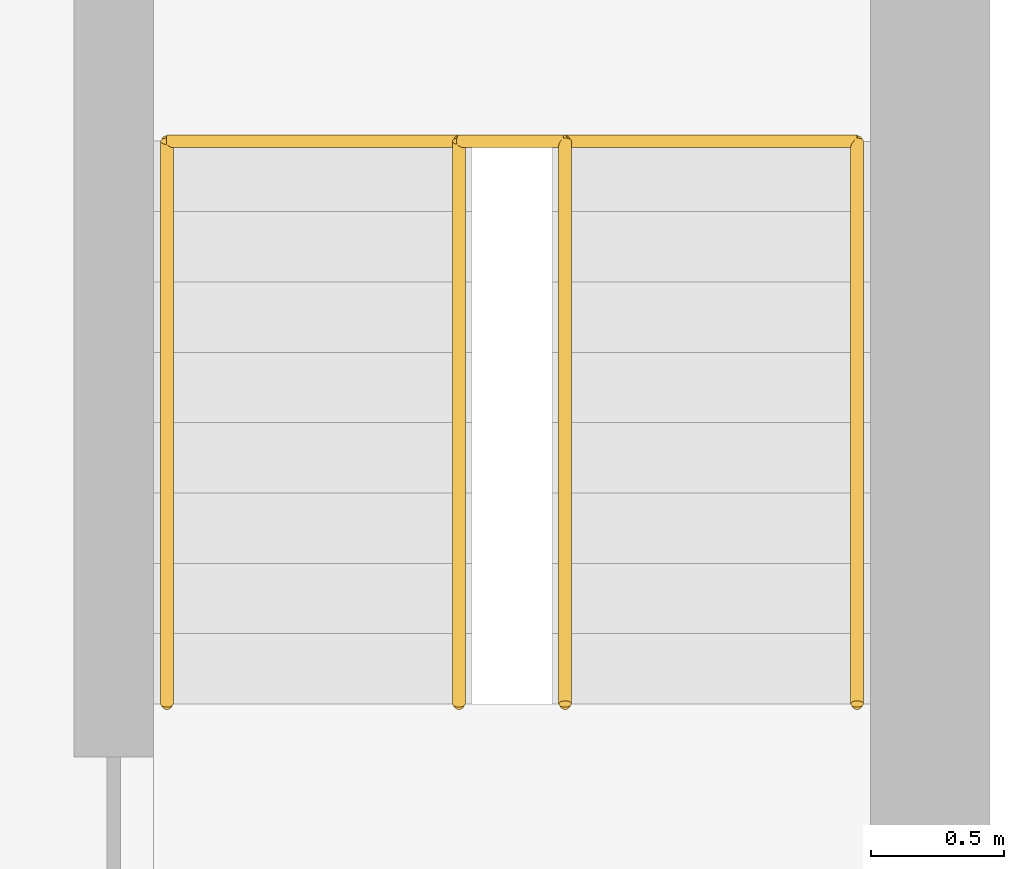
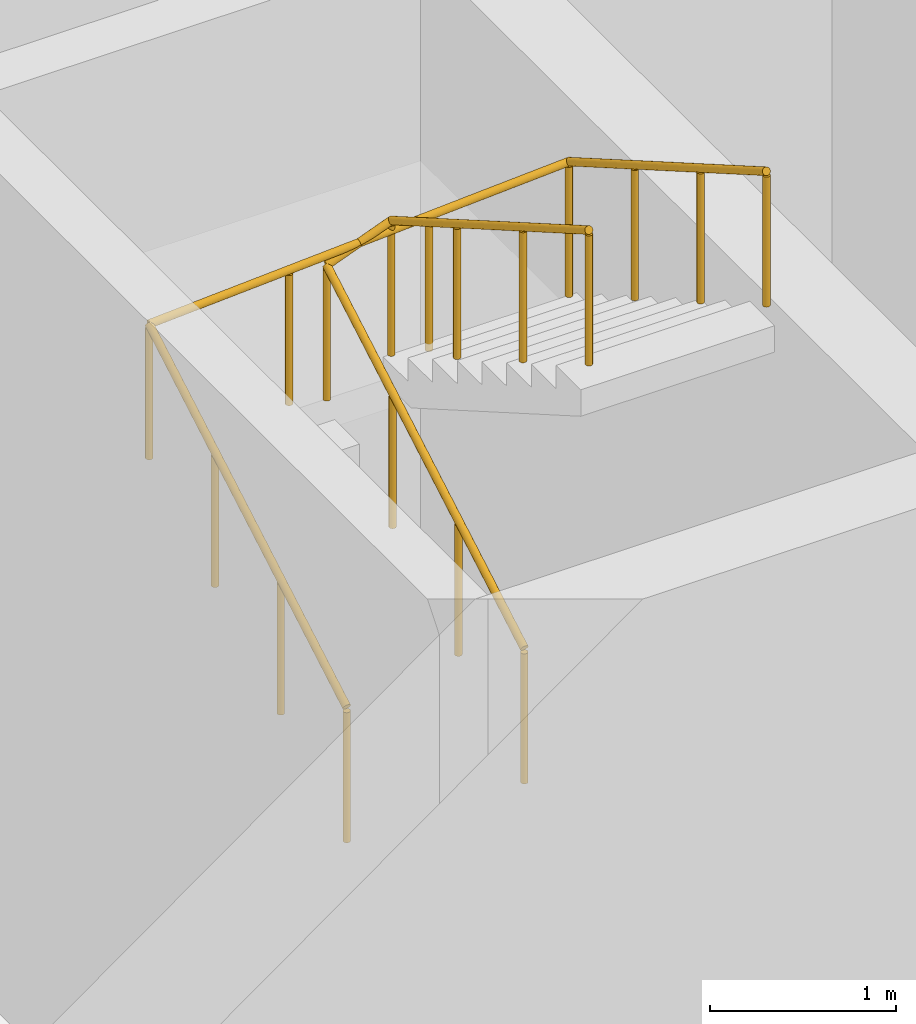
# One storey, part 30 of 30: 2 railings.
"""IFC4 building model written with IfcOpenShell, lengths in metres."""

from ifc_helpers import new_model, si_unit, direction, frame, origin, origin_2d, place, context, subcontext, project, spatial, circle, extrude, material, type_object, element, save


model = new_model("IFC4")

# Units and contexts
model_context = context("Model", 3, precision=1e-05, world=origin(), true_north=direction((0.0, 1.0)))
body_context = subcontext(model_context, "Body", "Model", "MODEL_VIEW")
ifc_project = project(units=[si_unit("LENGTHUNIT", "METRE"), si_unit("AREAUNIT", "SQUARE_METRE"), si_unit("VOLUMEUNIT", "CUBIC_METRE"), si_unit("PLANEANGLEUNIT", "RADIAN"), si_unit("MASSUNIT", "GRAM", prefix="KILO")], contexts=[model_context])

# Site, building, storey
site_placement = place(None, origin())
site = spatial("IfcSite", under=ifc_project, at=site_placement, CompositionType="ELEMENT")
building_placement = place(site_placement, origin())
building = spatial("IfcBuilding", under=site, at=building_placement, Name="Torana Hotel and Residences", CompositionType="ELEMENT")
storey_placement = place(building_placement, frame((0.0, 0.0, 12.5)))
storey = spatial("IfcBuildingStorey", under=building, at=storey_placement, Name="L02", CompositionType="ELEMENT", Elevation=12.5)

# Railings
ifc_material = material(Name="Stainless steel 316", Category="steel")
railing_type = type_object("IfcRailingType", Name="STAIR HANDRAIL HR1 900", PredefinedType="HANDRAIL", material=ifc_material)
railing_1_placement = place(storey_placement, frame((16.39990234375, -12.949951171875, 2.90283203125)))
element("IfcRailing", 1, at=railing_1_placement, inside=storey, type_object=railing_type, Name="Handrail ST4 L02 O2", PredefinedType="HANDRAIL", context=body_context, shape_type="SweptSolid", body=[
    extrude(circle(Radius=0.02392578125, at=origin_2d()), frame((0.0, 0.0, 0.8759765625), z_axis=(0.0, 0.866333381259, 0.49946618756), x_axis=(-1.0, 0.0, 0.0)), (0.0, 0.0, 1.0), 2.447021484375),
    extrude(circle(Radius=0.02392578125, at=origin_2d()), frame((0.0, 2.119873046875, 2.09814453125), z_axis=(0.998276957998, 0.0, 0.058678063447), x_axis=(0.0, 1.0, 0.0)), (0.0, 0.0, 1.0), 2.6044921875),
    extrude(circle(Radius=0.02392578125, at=origin_2d()), frame((2.60009765625, 2.119873046875, 2.2509765625), z_axis=(0.0, -0.866333381259, 0.49946618756), x_axis=(1.0, 0.0, 0.0)), (0.0, 0.0, 1.0), 2.447021484375),
    extrude(circle(Radius=0.02099609375, at=origin_2d()), origin(), (0.0, 0.0, 1.0), 0.851806640625),
    extrude(circle(Radius=0.02099609375, at=origin_2d()), frame((0.0, 0.70654296875, 0.407470703125)), (0.0, 0.0, 1.0), 0.851806640625),
    extrude(circle(Radius=0.02099609375, at=origin_2d()), frame((0.0, 1.413330078125, 0.814697265625)), (0.0, 0.0, 1.0), 0.851806640625),
    extrude(circle(Radius=0.02099609375, at=origin_2d()), frame((0.0, 2.119873046875, 1.22216796875)), (0.0, 0.0, 1.0), 0.851806640625),
    extrude(circle(Radius=0.02099609375, at=origin_2d()), frame((0.86669921875, 2.119873046875, 1.273193359375)), (0.0, 0.0, 1.0), 0.851806640625),
    extrude(circle(Radius=0.02099609375, at=origin_2d()), frame((1.7333984375, 2.119873046875, 1.323974609375)), (0.0, 0.0, 1.0), 0.851806640625),
    extrude(circle(Radius=0.02099609375, at=origin_2d()), frame((2.60009765625, 2.119873046875, 1.375)), (0.0, 0.0, 1.0), 0.851806640625),
    extrude(circle(Radius=0.02099609375, at=origin_2d()), frame((2.60009765625, 1.413330078125, 1.782470703125)), (0.0, 0.0, 1.0), 0.851806640625),
    extrude(circle(Radius=0.02099609375, at=origin_2d()), frame((2.60009765625, 0.70654296875, 2.189697265625)), (0.0, 0.0, 1.0), 0.851806640625),
    extrude(circle(Radius=0.02099609375, at=origin_2d()), frame((2.60009765625, 0.0, 2.59716796875)), (0.0, 0.0, 1.0), 0.851806640625),
])
railing_2_placement = place(storey_placement, frame((17.5, -12.949951171875, 2.90283203125)))
element("IfcRailing", 2, at=railing_2_placement, inside=storey, type_object=railing_type, Name="Handrail ST4 L02 I2", PredefinedType="HANDRAIL", context=body_context, shape_type="SweptSolid", body=[
    extrude(circle(Radius=0.02392578125, at=origin_2d()), frame((0.0, 0.0, 0.8759765625), z_axis=(0.0, 0.866333381259, 0.49946618756), x_axis=(-1.0, 0.0, 0.0)), (0.0, 0.0, 1.0), 2.447021484375),
    extrude(circle(Radius=0.02392578125, at=origin_2d()), frame((0.0, 2.119873046875, 2.09814453125), z_axis=(0.934107774737, 0.0, 0.356991127586), x_axis=(0.0, 1.0, 0.0)), (0.0, 0.0, 1.0), 0.42822265625),
    extrude(circle(Radius=0.02392578125, at=origin_2d()), frame((0.39990234375, 2.119873046875, 2.2509765625), z_axis=(0.0, -0.866333381259, 0.49946618756), x_axis=(1.0, 0.0, 0.0)), (0.0, 0.0, 1.0), 2.447021484375),
    extrude(circle(Radius=0.02099609375, at=origin_2d()), origin(), (0.0, 0.0, 1.0), 0.851806640625),
    extrude(circle(Radius=0.02099609375, at=origin_2d()), frame((0.0, 0.70654296875, 0.407470703125)), (0.0, 0.0, 1.0), 0.851806640625),
    extrude(circle(Radius=0.02099609375, at=origin_2d()), frame((0.0, 1.413330078125, 0.814697265625)), (0.0, 0.0, 1.0), 0.851806640625),
    extrude(circle(Radius=0.02099609375, at=origin_2d()), frame((0.0, 2.119873046875, 1.22216796875)), (0.0, 0.0, 1.0), 0.851806640625),
    extrude(circle(Radius=0.02099609375, at=origin_2d()), frame((0.39990234375, 2.119873046875, 1.375)), (0.0, 0.0, 1.0), 0.851806640625),
    extrude(circle(Radius=0.02099609375, at=origin_2d()), frame((0.39990234375, 1.413330078125, 1.782470703125)), (0.0, 0.0, 1.0), 0.851806640625),
    extrude(circle(Radius=0.02099609375, at=origin_2d()), frame((0.39990234375, 0.70654296875, 2.189697265625)), (0.0, 0.0, 1.0), 0.851806640625),
    extrude(circle(Radius=0.02099609375, at=origin_2d()), frame((0.39990234375, 0.0, 2.59716796875)), (0.0, 0.0, 1.0), 0.851806640625),
])

save(model, "model.ifc")
